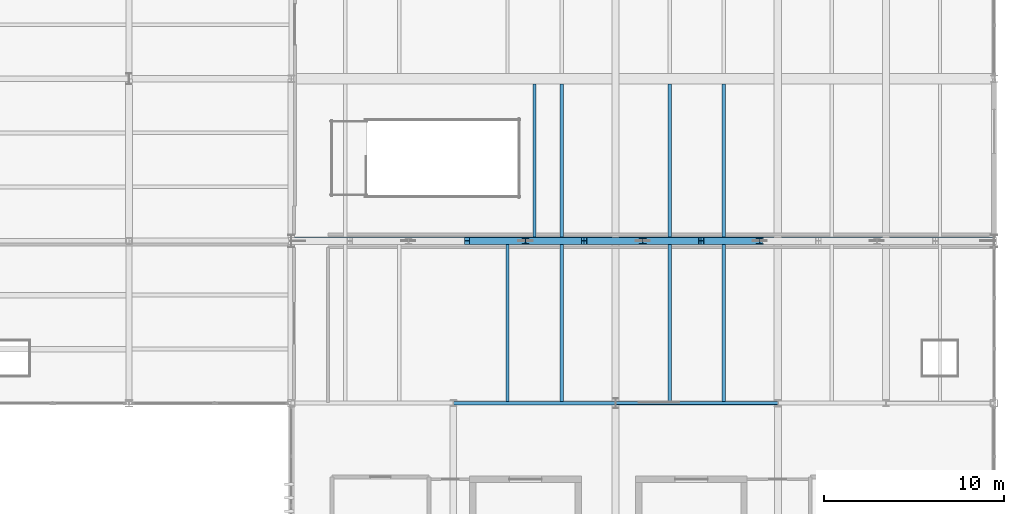
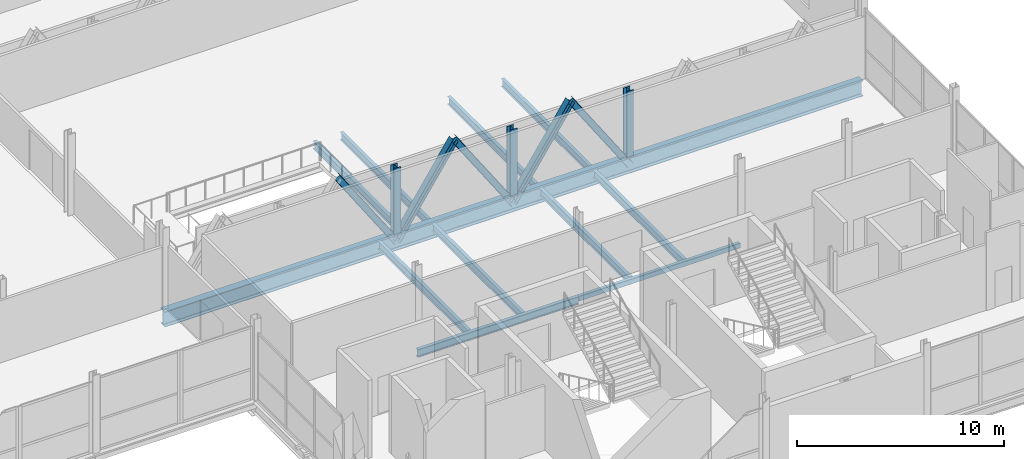
# One storey, part 129 of 224: 11 beams, 8 members.
"""IFC4 building model written with IfcOpenShell, lengths in metres."""

from ifc_helpers import new_model, si_unit, direction, frame, origin, origin_2d, place, context, subcontext, project, spatial, hollow_rectangle, i_section, extrude, material, material_profile, profile_set, type_object, element, save


model = new_model("IFC4")

# Units and contexts
model_context = context("Model", 3, precision=1e-05, world=origin(), true_north=direction((0.0, 1.0)))
body_context = subcontext(model_context, "Body", "Model", "MODEL_VIEW")
ifc_project = project(units=[si_unit("LENGTHUNIT", "METRE"), si_unit("AREAUNIT", "SQUARE_METRE"), si_unit("VOLUMEUNIT", "CUBIC_METRE"), si_unit("PLANEANGLEUNIT", "RADIAN"), si_unit("MASSUNIT", "GRAM", prefix="KILO")], contexts=[model_context])

# Site, building, storey
site_placement = place(None, origin())
site = spatial("IfcSite", under=ifc_project, at=site_placement, CompositionType="ELEMENT")
building_placement = place(site_placement, origin())
building = spatial("IfcBuilding", under=site, at=building_placement, Name="Qamarlyn Nura Convention Centre", CompositionType="ELEMENT")
storey_placement = place(building_placement, frame((0.0, 0.0, 10.800048828125)))
storey = spatial("IfcBuildingStorey", under=building, at=storey_placement, Name="L02", CompositionType="ELEMENT", Elevation=10.800048828125)

# Beams
ifc_material_1 = material(Name="Steel ASTM A992", Category="steel")
ifc_material_profile_1 = material_profile(ifc_material_1, i_section(OverallWidth=0.18994140625, OverallDepth=0.45703125, WebThickness=0.009033203125, FlangeThickness=0.014404296875, FilletRadius=0.012939453125, at=origin_2d()), Name="W460X74")
ifc_profile_set_1 = profile_set([ifc_material_profile_1], Name="Steel ASTM A992")
beam_type_1 = type_object("IfcBeamType", Name="BM-JOIST-460", PredefinedType="JOIST", material=ifc_profile_set_1)
for number, where, z_axis, x_axis, name in (
    (1, (165.0, 18.096435546875, -0.488525390625), (0.0, 1.0, 0.0), (-1.0, 0.0, 0.0), "L02 secondary joist 14-15/C-D-11"),
    (2, (168.0, 18.096435546875, -0.488525390625), (0.0, 1.0, 0.0), (-1.0, 0.0, 0.0), "L02 secondary joist 14-15/C-D-12"),
):
    element("IfcBeam", number, at=place(storey_placement, frame(where, z_axis=z_axis, x_axis=x_axis)), inside=storey, type_object=beam_type_1, Name=name, PredefinedType="JOIST", context=body_context, shape_type="SweptSolid", body=[
        extrude(i_section(OverallWidth=0.18994140625, OverallDepth=0.45703125, WebThickness=0.009033203125, FlangeThickness=0.014404296875, FilletRadius=0.012939453125, at=origin_2d()), origin(), (0.0, 0.0, 1.0), 8.694580078125),
    ])
for number, where, z_axis, x_axis, name in (
    (3, (168.0, 27.208984375, -0.488525390625), (0.0, 1.0, 0.0), (-1.0, 0.0, 0.0), "L02 secondary joist 14-15/D-E-13"),
    (4, (166.5, 27.208984375, -0.488525390625), (0.0, 1.0, 0.0), (-1.0, 0.0, 0.0), "L02 secondary joist 14-15/D-E-14"),
):
    element("IfcBeam", number, at=place(storey_placement, frame(where, z_axis=z_axis, x_axis=x_axis)), inside=storey, type_object=beam_type_1, Name=name, PredefinedType="JOIST", context=body_context, shape_type="SweptSolid", body=[
        extrude(i_section(OverallWidth=0.18994140625, OverallDepth=0.45703125, WebThickness=0.009033203125, FlangeThickness=0.014404296875, FilletRadius=0.012939453125, at=origin_2d()), origin(), (0.0, 0.0, 1.0), 8.490966796875),
    ])
for number, where, z_axis, x_axis, name in (
    (5, (174.0, 18.10009765625, -0.488525390625), (0.0, 1.0, 0.0), (-1.0, 0.0, 0.0), "L02 secondary joist 15-16/C-D-19"),
    (6, (177.0, 18.10009765625, -0.488525390625), (0.0, 1.0, 0.0), (-1.0, 0.0, 0.0), "L02 secondary joist 15-16/C-D-20"),
):
    element("IfcBeam", number, at=place(storey_placement, frame(where, z_axis=z_axis, x_axis=x_axis)), inside=storey, type_object=beam_type_1, Name=name, PredefinedType="JOIST", context=body_context, shape_type="SweptSolid", body=[
        extrude(i_section(OverallWidth=0.18994140625, OverallDepth=0.45703125, WebThickness=0.009033203125, FlangeThickness=0.014404296875, FilletRadius=0.012939453125, at=origin_2d()), origin(), (0.0, 0.0, 1.0), 8.69091796875),
    ])
for number, where, z_axis, x_axis, name in (
    (7, (174.0, 27.208984375, -0.488525390625), (0.0, 1.0, 0.0), (-1.0, 0.0, 0.0), "L02 secondary joist 15-16/D-E-21"),
    (8, (177.0, 27.208984375, -0.488525390625), (0.0, 1.0, 0.0), (-1.0, 0.0, 0.0), "L02 secondary joist 15-16/D-E-22"),
):
    element("IfcBeam", number, at=place(storey_placement, frame(where, z_axis=z_axis, x_axis=x_axis)), inside=storey, type_object=beam_type_1, Name=name, PredefinedType="JOIST", context=body_context, shape_type="SweptSolid", body=[
        extrude(i_section(OverallWidth=0.18994140625, OverallDepth=0.45703125, WebThickness=0.009033203125, FlangeThickness=0.014404296875, FilletRadius=0.012939453125, at=origin_2d()), origin(), (0.0, 0.0, 1.0), 8.490966796875),
    ])
ifc_material_profile_2 = material_profile(ifc_material_1, i_section(OverallWidth=0.193115234375, OverallDepth=0.466064453125, WebThickness=0.011474609375, FlangeThickness=0.01904296875, FilletRadius=0.012939453125, at=origin_2d()), Name="W460X97")
ifc_profile_set_2 = profile_set([ifc_material_profile_2], Name="Steel ASTM A992")
beam_type_2 = type_object("IfcBeamType", Name="BM-SPAN-460", PredefinedType="SPANDREL", material=ifc_profile_set_2)
beam_1_placement = place(storey_placement, frame((162.0, 18.0, -0.4931640625), z_axis=(1.0, 0.0, 0.0), x_axis=(0.0, 1.0, 0.0)))
element("IfcBeam", 9, at=beam_1_placement, inside=storey, type_object=beam_type_2, Name="L02 girder C 14-15", PredefinedType="SPANDREL", context=body_context, shape_type="SweptSolid", body=[
    extrude(i_section(OverallWidth=0.193115234375, OverallDepth=0.466064453125, WebThickness=0.011474609375, FlangeThickness=0.01904296875, FilletRadius=0.012939453125, at=origin_2d()), origin(), (0.0, 0.0, 1.0), 9.0),
])
ifc_material_2 = material(Name="Steel ASTM A500 Grade C", Category="steel")
ifc_material_profile_3 = material_profile(ifc_material_2, hollow_rectangle(XDim=0.199951171875, YDim=0.300048828125, WallThickness=0.012451171875, InnerFilletRadius=0.012451171875, OuterFilletRadius=0.02490234375, at=origin_2d()), Name="HSS300X200X12.5")
ifc_profile_set_3 = profile_set([ifc_material_profile_3], Name="Steel ASTM A500 Grade C")
beam_type_3 = type_object("IfcBeamType", Name="BM-SPAN-HSS", PredefinedType="SPANDREL", material=ifc_profile_set_3)
beam_2_placement = place(storey_placement, frame((171.0, 18.0, -0.41015625), z_axis=(1.0, 0.0, 0.0), x_axis=(0.0, 1.0, 0.0)))
element("IfcBeam", 10, at=beam_2_placement, inside=storey, type_object=beam_type_3, Name="L02 girder C 15-16", PredefinedType="SPANDREL", context=body_context, shape_type="SweptSolid", body=[
    extrude(hollow_rectangle(XDim=0.199951171875, YDim=0.300048828125, WallThickness=0.012451171875, InnerFilletRadius=0.012451171875, OuterFilletRadius=0.02490234375, at=origin_2d()), origin(), (0.0, 0.0, 1.0), 9.0),
])
ifc_material_profile_4 = material_profile(ifc_material_1, i_section(OverallWidth=0.41796875, OverallDepth=0.912109375, WebThickness=0.019287109375, FlangeThickness=0.031982421875, FilletRadius=0.02392578125, at=origin_2d()), Name="W920X342")
ifc_profile_set_4 = profile_set([ifc_material_profile_4], Name="Steel ASTM A992")
beam_type_4 = type_object("IfcBeamType", Name="BM-TRANSFER-920", PredefinedType="BEAM", material=ifc_profile_set_4)
beam_3_placement = place(storey_placement, frame((153.0, 27.0, -0.716064453125), z_axis=(1.0, 0.0, 0.0), x_axis=(0.0, 1.0, 0.0)))
element("IfcBeam", 11, at=beam_3_placement, inside=storey, type_object=beam_type_4, Name="L02 Warren transfer structure girder D 13-18", PredefinedType="BEAM", context=body_context, shape_type="SweptSolid", body=[
    extrude(i_section(OverallWidth=0.41796875, OverallDepth=0.912109375, WebThickness=0.019287109375, FlangeThickness=0.031982421875, FilletRadius=0.02392578125, at=origin_2d()), origin(), (0.0, 0.0, 1.0), 39.0),
])

# Members
ifc_material_profile_5 = material_profile(ifc_material_1, i_section(OverallWidth=0.368896484375, OverallDepth=0.35595703125, WebThickness=0.01123046875, FlangeThickness=0.01806640625, FilletRadius=0.014892578125, at=origin_2d()), Name="W360X134")
ifc_profile_set_5 = profile_set([ifc_material_profile_5], Name="Steel ASTM A992")
member_type_1 = type_object("IfcMemberType", Name="TT-DIAG-02", PredefinedType="BRACE", material=ifc_profile_set_5)
for number, where, z_axis, x_axis, name in (
    (12, (162.75, 27.0, 4.14404296875), (0.555875275564, 0.0, -0.831265708433), (0.0, 1.0, 0.0), "Warren transfer structure diagonal D-2B"),
    (13, (166.0, 27.0, -0.716064453125), (0.555875275564, 0.0, 0.831265708433), (0.0, 1.0, 0.0), "Warren transfer structure diagonal D-3A"),
    (14, (169.25, 27.0, 4.14404296875), (0.555875275564, 0.0, -0.831265708433), (0.0, 1.0, 0.0), "Warren transfer structure diagonal D-3B"),
    (15, (172.5, 27.0, -0.716064453125), (0.555875275564, 0.0, 0.831265708433), (0.0, 1.0, 0.0), "Warren transfer structure diagonal D-4A"),
    (16, (175.75, 27.0, 4.14404296875), (0.555875275564, 0.0, -0.831265708433), (0.0, 1.0, 0.0), "Warren transfer structure diagonal D-4B"),
):
    element("IfcMember", number, at=place(storey_placement, frame(where, z_axis=z_axis, x_axis=x_axis)), inside=storey, type_object=member_type_1, Name=name, PredefinedType="BRACE", context=body_context, shape_type="SweptSolid", body=[
        extrude(i_section(OverallWidth=0.368896484375, OverallDepth=0.35595703125, WebThickness=0.01123046875, FlangeThickness=0.01806640625, FilletRadius=0.014892578125, at=origin_2d()), origin(), (0.0, 0.0, 1.0), 5.8466796875),
    ])
ifc_material_profile_6 = material_profile(ifc_material_1, i_section(OverallWidth=0.3740234375, OverallDepth=0.3720703125, WebThickness=0.016357421875, FlangeThickness=0.026123046875, FilletRadius=0.01611328125, at=origin_2d()), Name="W360X196")
ifc_profile_set_6 = profile_set([ifc_material_profile_6], Name="Steel ASTM A992")
member_type_2 = type_object("IfcMemberType", Name="TT-VERT-01", PredefinedType="BRACE", material=ifc_profile_set_6)
for number, where, z_axis, x_axis, name in (
    (17, (166.0, 27.0, -0.260009765625), (0.0, 0.0, 1.0), (1.0, 0.0, 0.0), "Warren transfer truss vertical hanger D-2"),
    (18, (172.5, 27.0, -0.260009765625), (0.0, 0.0, 1.0), (1.0, 0.0, 0.0), "Warren transfer truss vertical hanger D-3"),
    (19, (179.0, 27.0, -0.260009765625), (0.0, 0.0, 1.0), (1.0, 0.0, 0.0), "Warren transfer truss vertical hanger D-4"),
):
    element("IfcMember", number, at=place(storey_placement, frame(where, z_axis=z_axis, x_axis=x_axis)), inside=storey, type_object=member_type_2, Name=name, PredefinedType="BRACE", context=body_context, shape_type="SweptSolid", body=[
        extrude(i_section(OverallWidth=0.3740234375, OverallDepth=0.3720703125, WebThickness=0.016357421875, FlangeThickness=0.026123046875, FilletRadius=0.01611328125, at=origin_2d()), origin(), (0.0, 0.0, 1.0), 3.947998046875),
    ])

save(model, "model.ifc")
